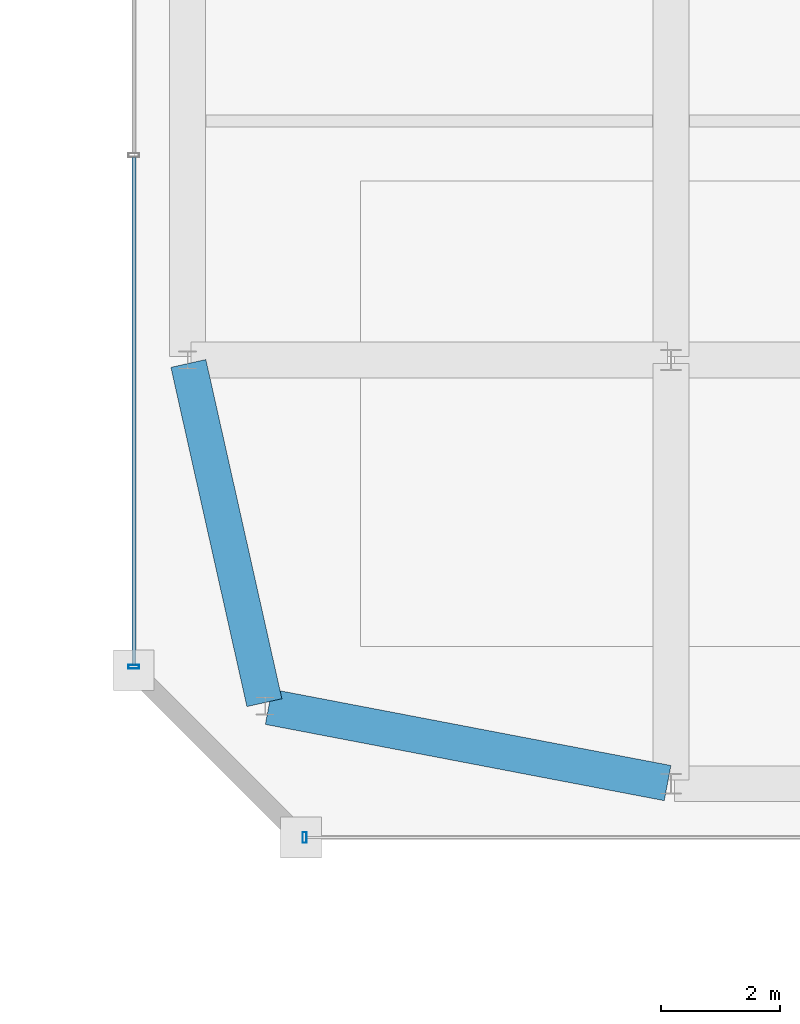
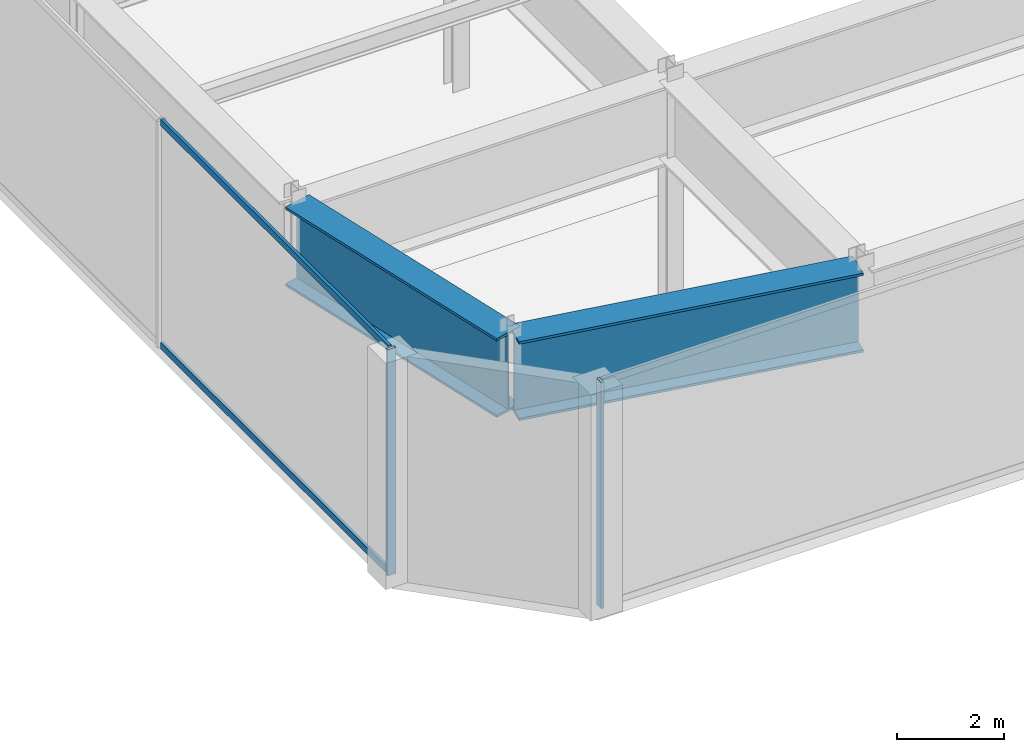
# One storey, part 32 of 53: 4 members, 2 beams, 2 elements without a shape of their own.
"""IFC4 building model written with IfcOpenShell, lengths in metres."""

from ifc_helpers import new_model, si_unit, direction, frame, origin, origin_2d, place, context, subcontext, project, spatial, hollow_rectangle, i_section, extrude, material, material_profile, profile_set, type_object, element, aggregate, save


model = new_model("IFC4")

# Units and contexts
model_context = context("Model", 3, precision=1e-05, world=origin(), true_north=direction((0.0, 1.0)))
body_context = subcontext(model_context, "Body", "Model", "MODEL_VIEW")
ifc_project = project(units=[si_unit("LENGTHUNIT", "METRE"), si_unit("AREAUNIT", "SQUARE_METRE"), si_unit("VOLUMEUNIT", "CUBIC_METRE"), si_unit("PLANEANGLEUNIT", "RADIAN"), si_unit("MASSUNIT", "GRAM", prefix="KILO")], contexts=[model_context])

# Site, building, storey
site_placement = place(None, origin())
site = spatial("IfcSite", under=ifc_project, at=site_placement, CompositionType="ELEMENT")
building_placement = place(site_placement, origin())
building = spatial("IfcBuilding", under=site, at=building_placement, Name="Saevonmaru Cultural Tower", CompositionType="ELEMENT")
storey_placement = place(building_placement, frame((0.0, 0.0, 22.199951171875)))
storey = spatial("IfcBuildingStorey", under=building, at=storey_placement, Name="L04", CompositionType="ELEMENT", Elevation=22.199951171875)

# Beams
ifc_material_1 = material(Name="Steel HSA600 (600 MPa)", Category="steel")
ifc_material_profile_1 = material_profile(ifc_material_1, i_section(OverallWidth=0.60009765625, OverallDepth=1.800048828125, WebThickness=0.028076171875, FlangeThickness=0.054931640625, at=origin_2d()), Name="PG-1800x600x28x55")
ifc_profile_set_1 = profile_set([ifc_material_profile_1], Name="Steel HSA600 (600 MPa)")
beam_type = type_object("IfcBeamType", Name="BM-TG-PG1800", PredefinedType="BEAM", material=ifc_profile_set_1)
beam_1_placement = place(storey_placement, frame((74.458984375, 10.188720703125, 4.199951171875), z_axis=(0.982215224342, -0.187758496666, 0.0), x_axis=(0.187758496666, 0.982215224342, 0.0)))
element("IfcBeam", 1, at=beam_1_placement, inside=storey, type_object=beam_type, Name="L04 Library Girder EW-1-1", PredefinedType="BEAM", context=body_context, shape_type="SweptSolid", body=[
    extrude(i_section(OverallWidth=0.60009765625, OverallDepth=1.800048828125, WebThickness=0.028076171875, FlangeThickness=0.054931640625, at=origin_2d()), origin(), (0.0, 0.0, 1.0), 6.80322265625),
])
beam_2_placement = place(storey_placement, frame((74.386962890625, 10.258544921875, 4.199951171875), z_axis=(-0.218741049138, 0.975782943806, 0.0), x_axis=(-0.975782943806, -0.218741049138, 0.0)))
element("IfcBeam", 2, at=beam_2_placement, inside=storey, type_object=beam_type, Name="L04 Library Girder NS-1-1", PredefinedType="BEAM", context=body_context, shape_type="SweptSolid", body=[
    extrude(i_section(OverallWidth=0.60009765625, OverallDepth=1.800048828125, WebThickness=0.028076171875, FlangeThickness=0.054931640625, at=origin_2d()), origin(), (0.0, 0.0, 1.0), 5.823974609375),
])

# Curtain wall, member
ifc_material_2 = material(Name="Satin Bronze Anodised Aluminium", Category="aluminium")
curtain_wall_type = type_object("IfcCurtainWallType", Name="CW-LIB-GLZ", PredefinedType="NOTDEFINED", material=ifc_material_2)
curtain_wall_1_placement = place(storey_placement, origin())
curtain_wall_1 = element("IfcCurtainWall", 3, at=curtain_wall_1_placement, inside=storey, type_object=curtain_wall_type, Name="L04 Central Library Reading Hall Curtain Wall 2", PredefinedType="NOTDEFINED")
ifc_material_profile_2 = material_profile(ifc_material_2, hollow_rectangle(XDim=0.06494140625, YDim=0.179931640625, WallThickness=0.00390625, at=origin_2d()), Name="ALU-MULL-180x65x4")
ifc_profile_set_2 = profile_set([ifc_material_profile_2], Name="Satin Bronze Anodised Aluminium")
member_type_1 = type_object("IfcMemberType", Name="ML-CW-180x65", PredefinedType="MULLION", material=ifc_profile_set_2)
member_1_placement = place(storey_placement, frame((75.06005859375, 8.0, 0.0), z_axis=(0.0, 0.0, 1.0), x_axis=(1.0, 0.0, 0.0)))
member_1 = element("IfcMember", 4, at=member_1_placement, type_object=member_type_1, Name="CW-LIB-2-L04 mullion 1", PredefinedType="MULLION", context=body_context, shape_type="SweptSolid", body=[
    extrude(hollow_rectangle(XDim=0.06494140625, YDim=0.179931640625, WallThickness=0.00390625, at=origin_2d()), origin(), (0.0, 0.0, 1.0), 5.150146484375),
])
aggregate(curtain_wall_1, [member_1])

# Curtain wall, members
curtain_wall_2_placement = place(storey_placement, origin())
curtain_wall_2 = element("IfcCurtainWall", 5, at=curtain_wall_2_placement, inside=storey, type_object=curtain_wall_type, Name="L04 Central Library Reading Hall Curtain Wall 8", PredefinedType="NOTDEFINED")
member_2_placement = place(storey_placement, frame((72.199951171875, 10.860107421875, 0.0), z_axis=(0.0, 0.0, 1.0), x_axis=(0.0, -1.0, 0.0)))
member_2 = element("IfcMember", 6, at=member_2_placement, type_object=member_type_1, Name="CW-LIB-8-L04 mullion 5", PredefinedType="MULLION", context=body_context, shape_type="SweptSolid", body=[
    extrude(hollow_rectangle(XDim=0.06494140625, YDim=0.179931640625, WallThickness=0.00390625, at=origin_2d()), origin(), (0.0, 0.0, 1.0), 5.150146484375),
])
ifc_material_profile_3 = material_profile(ifc_material_2, hollow_rectangle(XDim=0.06494140625, YDim=0.14990234375, WallThickness=0.00390625, at=origin_2d()), Name="ALU-TRAN-150x65x4")
ifc_profile_set_3 = profile_set([ifc_material_profile_3], Name="Satin Bronze Anodised Aluminium")
member_type_2 = type_object("IfcMemberType", Name="TR-CW-150x65", PredefinedType="USERDEFINED", material=ifc_profile_set_3)
member_3_placement = place(storey_placement, frame((72.199951171875, 19.3974609375, 0.032470703125), z_axis=(0.0, -1.0, 0.0), x_axis=(1.0, 0.0, 0.0)))
member_3 = element("IfcMember", 7, at=member_3_placement, type_object=member_type_2, Name="CW-LIB-8-L04 transom 4.1", ObjectType="TRANSOM", PredefinedType="USERDEFINED", context=body_context, shape_type="SweptSolid", body=[
    extrude(hollow_rectangle(XDim=0.06494140625, YDim=0.14990234375, WallThickness=0.00390625, at=origin_2d()), origin(), (0.0, 0.0, 1.0), 8.5048828125),
])
member_4_placement = place(storey_placement, frame((72.199951171875, 19.3974609375, 5.117431640625), z_axis=(0.0, -1.0, 0.0), x_axis=(1.0, 0.0, 0.0)))
member_4 = element("IfcMember", 8, at=member_4_placement, type_object=member_type_2, Name="CW-LIB-8-L04 transom 4.2", ObjectType="TRANSOM", PredefinedType="USERDEFINED", context=body_context, shape_type="SweptSolid", body=[
    extrude(hollow_rectangle(XDim=0.06494140625, YDim=0.14990234375, WallThickness=0.00390625, at=origin_2d()), origin(), (0.0, 0.0, 1.0), 8.5048828125),
])
aggregate(curtain_wall_2, [member_2, member_3, member_4])

save(model, "model.ifc")
